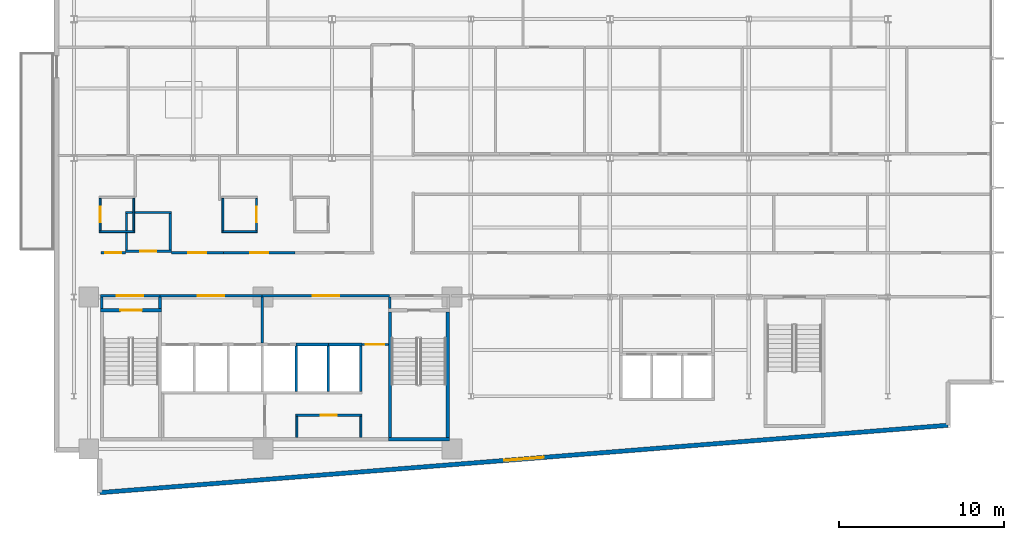
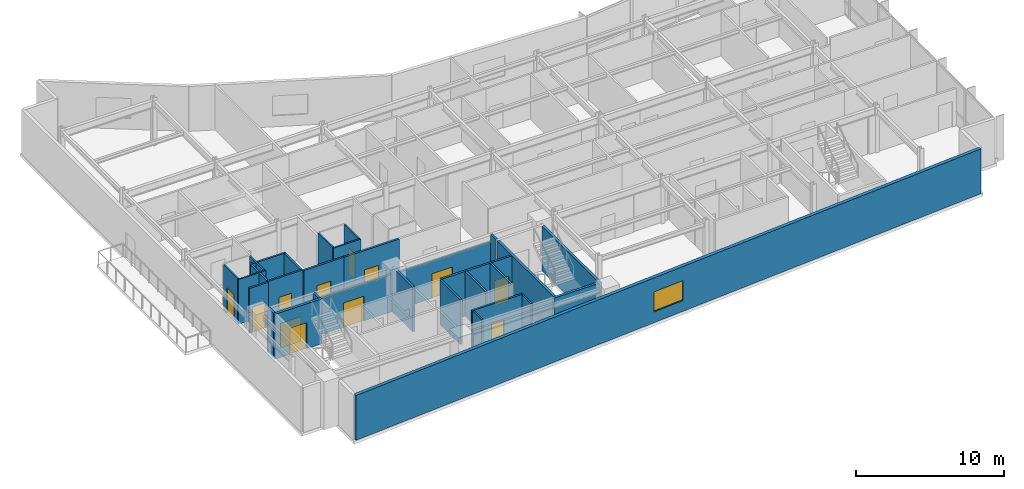
# One storey, part 10 of 17: 34 walls, 12 doors, 1 window, 13 openings.
"""IFC4 building model written with IfcOpenShell, lengths in metres."""

from ifc_helpers import new_model, si_unit, direction, frame, frame_2d, origin, place, context, subcontext, project, spatial, rectangle, extrude, material, layer, layer_set, type_object, element, fill, save


model = new_model("IFC4")

# Units and contexts
model_context = context("Model", 3, precision=1e-05, world=origin(), true_north=direction((0.0, 1.0)))
body_context = subcontext(model_context, "Body", "Model", "MODEL_VIEW")
ifc_project = project(units=[si_unit("LENGTHUNIT", "METRE"), si_unit("AREAUNIT", "SQUARE_METRE"), si_unit("VOLUMEUNIT", "CUBIC_METRE"), si_unit("PLANEANGLEUNIT", "RADIAN"), si_unit("MASSUNIT", "GRAM", prefix="KILO")], contexts=[model_context])

# Site, building, storey
site_placement = place(None, origin())
site = spatial("IfcSite", under=ifc_project, at=site_placement, CompositionType="ELEMENT")
building_placement = place(site_placement, origin())
building = spatial("IfcBuilding", under=site, at=building_placement, Name="Varnakote Quay Hospital", CompositionType="ELEMENT")
storey_placement = place(building_placement, frame((0.0, 0.0, 127.050048828125)))
storey = spatial("IfcBuildingStorey", under=building, at=storey_placement, Name="L31", CompositionType="ELEMENT", Elevation=127.050048828125)

# Wall
ifc_material_1 = material(Name="Fire-rated acoustic gypsum stud wall", Category="gypsum")
ifc_layer_1 = layer(ifc_material_1, 0.159912109375)
ifc_layer_set_1 = layer_set([ifc_layer_1], Name="Fire-rated acoustic gypsum stud wall")
wall_type_1 = type_object("IfcWallType", Name="WL-COMP-160", PredefinedType="PARTITIONING", material=ifc_layer_set_1)
wall_1_placement = place(storey_placement, frame((2.8798828125, 11.300048828125, 0.0), z_axis=(0.0, 0.0, 1.0), x_axis=(0.0, 1.0, 0.0)))
element("IfcWall", 1, at=wall_1_placement, inside=storey, type_object=wall_type_1, Name="L31 West Stair Vestibule West Wall", PredefinedType="PARTITIONING", context=body_context, shape_type="SweptSolid", body=[
    extrude(rectangle(XDim=0.699951171875, YDim=0.159912109375, at=frame_2d((0.35009765625, 0.0))), origin(), (0.0, 0.0, 1.0), 3.7099609375),
])

# Wall, opening, door
wall_2_placement = place(storey_placement, frame((2.800048828125, 12.080078125, 0.0), z_axis=(0.0, 0.0, 1.0), x_axis=(1.0, 0.0, 0.0)))
wall_2 = element("IfcWall", 2, at=wall_2_placement, inside=storey, type_object=wall_type_1, Name="L31 West Stair Vestibule Smoke Wall", PredefinedType="PARTITIONING", context=body_context, shape_type="SweptSolid", body=[
    extrude(rectangle(XDim=3.599853515625, YDim=0.159912109375, at=frame_2d((1.7998046875, 0.0))), origin(), (0.0, 0.0, 1.0), 3.0830078125),
])
opening_1_placement = place(wall_2_placement, frame((1.0, 0.0, 0.0)))
opening_1 = element("IfcOpeningElement", 3, at=opening_1_placement, cuts=wall_2, Name="Opening D-ST1L-L31", PredefinedType="OPENING", context=body_context, shape_type="SweptSolid", body=[
    extrude(rectangle(XDim=1.60009765625, YDim=2.050048828125, at=frame_2d((0.800048828125, 1.02490234375))), frame((0.0, 0.08984375, 0.0), z_axis=(0.0, -1.0, 0.0), x_axis=(1.0, 0.0, 0.0)), (0.0, 0.0, 1.0), 0.179931640625),
])
ifc_material_2 = material(Name="Fire-rated double smoke lobby door")
door_type_1 = type_object("IfcDoorType", Name="DR-LOBBY-FD60S-1600x2150", OperationType="NOTDEFINED", PredefinedType="DOOR", material=ifc_material_2)
door_1_placement = place(opening_1_placement, origin())
door_1 = element("IfcDoor", 4, at=door_1_placement, inside=storey, type_object=door_type_1, Name="L31 West Stair Vestibule Smoke Door", OperationType="DOUBLE_DOOR_SINGLE_SWING", OverallHeight=2.050048828125, OverallWidth=1.60009765625, PredefinedType="DOOR", context=body_context, shape_type="SweptSolid", body=[
    extrude(rectangle(XDim=1.60009765625, YDim=2.050048828125, at=frame_2d((0.800048828125, 1.02490234375))), frame((0.0, 0.02490234375, 0.0), z_axis=(0.0, -1.0, 0.0), x_axis=(1.0, 0.0, 0.0)), (0.0, 0.0, 1.0), 0.050048828125),
])
fill(opening_1, door_1)

# Wall
wall_3_placement = place(storey_placement, frame((6.39990234375, 11.300048828125, 0.0), z_axis=(0.0, 0.0, 1.0), x_axis=(0.0, 1.0, 0.0)))
element("IfcWall", 5, at=wall_3_placement, inside=storey, type_object=wall_type_1, Name="L31 Firefighting Lobby West Wall", PredefinedType="PARTITIONING", context=body_context, shape_type="SweptSolid", body=[
    extrude(rectangle(XDim=0.699951171875, YDim=0.159912109375, at=frame_2d((0.35009765625, 0.0))), origin(), (0.0, 0.0, 1.0), 3.7099609375),
])

# Wall, opening, door
wall_4_placement = place(storey_placement, frame((6.39990234375, 12.080078125, 0.0), z_axis=(0.0, 0.0, 1.0), x_axis=(1.0, 0.0, 0.0)))
wall_4 = element("IfcWall", 6, at=wall_4_placement, inside=storey, type_object=wall_type_1, Name="L31 Firefighting Lift Lobby Compartment Wall", PredefinedType="PARTITIONING", context=body_context, shape_type="SweptSolid", body=[
    extrude(rectangle(XDim=6.18017578125, YDim=0.159912109375, at=frame_2d((3.090087890625, 0.0))), origin(), (0.0, 0.0, 1.0), 3.0830078125),
])
opening_2_placement = place(wall_4_placement, frame((2.2900390625, 0.0, 0.0)))
opening_2 = element("IfcOpeningElement", 7, at=opening_2_placement, cuts=wall_4, Name="Opening D-FFL-L31", PredefinedType="OPENING", context=body_context, shape_type="SweptSolid", body=[
    extrude(rectangle(XDim=1.60009765625, YDim=2.050048828125, at=frame_2d((0.800048828125, 1.02490234375))), frame((0.0, 0.08984375, 0.0), z_axis=(0.0, -1.0, 0.0), x_axis=(1.0, 0.0, 0.0)), (0.0, 0.0, 1.0), 0.179931640625),
])
door_2_placement = place(opening_2_placement, origin())
door_2 = element("IfcDoor", 8, at=door_2_placement, inside=storey, type_object=door_type_1, Name="L31 Firefighting Smoke Vestibule Door", OperationType="DOUBLE_DOOR_SINGLE_SWING", OverallHeight=2.050048828125, OverallWidth=1.60009765625, PredefinedType="DOOR", context=body_context, shape_type="SweptSolid", body=[
    extrude(rectangle(XDim=1.60009765625, YDim=2.050048828125, at=frame_2d((0.800048828125, 1.02490234375))), frame((0.0, 0.02490234375, 0.0), z_axis=(0.0, -1.0, 0.0), x_axis=(1.0, 0.0, 0.0)), (0.0, 0.0, 1.0), 0.050048828125),
])
fill(opening_2, door_2)

# Wall
wall_5_placement = place(storey_placement, frame((12.580078125, 9.2099609375, 0.0), z_axis=(0.0, 0.0, 1.0), x_axis=(0.0, 1.0, 0.0)))
element("IfcWall", 9, at=wall_5_placement, inside=storey, type_object=wall_type_1, Name="L31 Firefighting to Service Lobby Wall", PredefinedType="PARTITIONING", context=body_context, shape_type="SweptSolid", body=[
    extrude(rectangle(XDim=2.7900390625, YDim=0.159912109375, at=frame_2d((1.39501953125, 0.0))), origin(), (0.0, 0.0, 1.0), 3.7099609375),
])

# Wall, opening, door
wall_6_placement = place(storey_placement, frame((12.580078125, 12.080078125, 0.0), z_axis=(0.0, 0.0, 1.0), x_axis=(1.0, 0.0, 0.0)))
wall_6 = element("IfcWall", 10, at=wall_6_placement, inside=storey, type_object=wall_type_1, Name="L31 Clinical Bed Lift Lobby Wall", PredefinedType="PARTITIONING", context=body_context, shape_type="SweptSolid", body=[
    extrude(rectangle(XDim=7.699951171875, YDim=0.159912109375, at=frame_2d((3.85009765625, 0.0))), origin(), (0.0, 0.0, 1.0), 3.0830078125),
])
opening_3_placement = place(wall_6_placement, frame((3.050048828125, 0.0, 0.0)))
opening_3 = element("IfcOpeningElement", 11, at=opening_3_placement, cuts=wall_6, Name="Opening D-SVL-L31", PredefinedType="OPENING", context=body_context, shape_type="SweptSolid", body=[
    extrude(rectangle(XDim=1.60009765625, YDim=2.050048828125, at=frame_2d((0.800048828125, 1.02490234375))), frame((0.0, 0.08984375, 0.0), z_axis=(0.0, -1.0, 0.0), x_axis=(1.0, 0.0, 0.0)), (0.0, 0.0, 1.0), 0.179931640625),
])
door_3_placement = place(opening_3_placement, origin())
door_3 = element("IfcDoor", 12, at=door_3_placement, inside=storey, type_object=door_type_1, Name="L31 Clinical Core Smoke Vestibule Door", OperationType="DOUBLE_DOOR_SINGLE_SWING", OverallHeight=2.050048828125, OverallWidth=1.60009765625, PredefinedType="DOOR", context=body_context, shape_type="SweptSolid", body=[
    extrude(rectangle(XDim=1.60009765625, YDim=2.050048828125, at=frame_2d((0.800048828125, 1.02490234375))), frame((0.0, 0.02490234375, 0.0), z_axis=(0.0, -1.0, 0.0), x_axis=(1.0, 0.0, 0.0)), (0.0, 0.0, 1.0), 0.050048828125),
])
fill(opening_3, door_3)

# Walls
wall_7_placement = place(storey_placement, frame((20.280029296875, 11.300048828125, 0.0), z_axis=(0.0, 0.0, 1.0), x_axis=(0.0, 1.0, 0.0)))
element("IfcWall", 13, at=wall_7_placement, inside=storey, type_object=wall_type_1, Name="L31 East Stair Vestibule Divider Wall", PredefinedType="PARTITIONING", context=body_context, shape_type="SweptSolid", body=[
    extrude(rectangle(XDim=0.699951171875, YDim=0.159912109375, at=frame_2d((0.35009765625, 0.0))), origin(), (0.0, 0.0, 1.0), 3.7099609375),
])
ifc_material_3 = material(Name="Moisture-resistant bathroom partition", Category="gypsum")
ifc_layer_2 = layer(ifc_material_3, 0.114990234375)
ifc_layer_set_2 = layer_set([ifc_layer_2], Name="Moisture-resistant bathroom partition")
wall_type_2 = type_object("IfcWallType", Name="WL-ENS-115", PredefinedType="PARTITIONING", material=ifc_layer_set_2)
wall_8_placement = place(storey_placement, frame((2.72509765625, 15.952392578125, 0.0), z_axis=(0.0, 0.0, 1.0), x_axis=(1.0, 0.0, 0.0)))
element("IfcWall", 14, at=wall_8_placement, inside=storey, type_object=wall_type_2, Name="L31 Inpatient En-Suite Bathroom 01 S Wall", PredefinedType="PARTITIONING", context=body_context, shape_type="SweptSolid", body=[
    extrude(rectangle(XDim=2.14990234375, YDim=0.114990234375, at=frame_2d((1.074951171875, 0.0))), origin(), (0.0, 0.0, 1.0), 3.7099609375),
])

# Wall, opening, door
wall_9_placement = place(storey_placement, frame((2.782470703125, 16.010009765625, 0.0), z_axis=(0.0, 0.0, 1.0), x_axis=(0.0, 1.0, 0.0)))
wall_9 = element("IfcWall", 15, at=wall_9_placement, inside=storey, type_object=wall_type_2, Name="L31 Inpatient En-Suite Bathroom 01 W Wall", PredefinedType="PARTITIONING", context=body_context, shape_type="SweptSolid", body=[
    extrude(rectangle(XDim=1.949951171875, YDim=0.114990234375, at=frame_2d((0.97509765625, 0.0))), origin(), (0.0, 0.0, 1.0), 3.7099609375),
])
opening_4_placement = place(wall_9_placement, frame((0.514892578125, 0.0, 0.0)))
opening_4 = element("IfcOpeningElement", 16, at=opening_4_placement, cuts=wall_9, Name="Opening D-L31-ENS01", PredefinedType="OPENING", context=body_context, shape_type="SweptSolid", body=[
    extrude(rectangle(XDim=0.919921875, YDim=2.10009765625, at=frame_2d((0.4599609375, 1.050048828125))), frame((0.0, 0.0673828125, 0.0), z_axis=(0.0, -1.0, 0.0), x_axis=(1.0, 0.0, 0.0)), (0.0, 0.0, 1.0), 0.135009765625),
])
ifc_material_4 = material(Name="Moisture-sealed en-suite bathroom door")
door_type_2 = type_object("IfcDoorType", Name="DR-ENS-920x2100", OperationType="NOTDEFINED", PredefinedType="DOOR", material=ifc_material_4)
door_4_placement = place(opening_4_placement, origin())
door_4 = element("IfcDoor", 17, at=door_4_placement, inside=storey, type_object=door_type_2, Name="L31 Inpatient En-Suite Bathroom 01 Door", OperationType="SINGLE_SWING_RIGHT", OverallHeight=2.10009765625, OverallWidth=0.919921875, PredefinedType="DOOR", context=body_context, shape_type="SweptSolid", body=[
    extrude(rectangle(XDim=0.919921875, YDim=2.10009765625, at=frame_2d((0.4599609375, 1.050048828125))), frame((0.0, 0.02490234375, 0.0), z_axis=(0.0, -1.0, 0.0), x_axis=(1.0, 0.0, 0.0)), (0.0, 0.0, 1.0), 0.050048828125),
])
fill(opening_4, door_4)

# Walls
wall_10_placement = place(storey_placement, frame((4.8173828125, 16.010009765625, 0.0), z_axis=(0.0, 0.0, 1.0), x_axis=(0.0, 1.0, 0.0)))
element("IfcWall", 18, at=wall_10_placement, inside=storey, type_object=wall_type_2, Name="L31 Inpatient En-Suite Bathroom 01 E Wall", PredefinedType="PARTITIONING", context=body_context, shape_type="SweptSolid", body=[
    extrude(rectangle(XDim=1.949951171875, YDim=0.114990234375, at=frame_2d((0.97509765625, 0.0))), origin(), (0.0, 0.0, 1.0), 3.7099609375),
])
wall_11_placement = place(storey_placement, frame((10.14501953125, 15.952392578125, 0.0), z_axis=(0.0, 0.0, 1.0), x_axis=(1.0, 0.0, 0.0)))
element("IfcWall", 19, at=wall_11_placement, inside=storey, type_object=wall_type_2, Name="L31 Inpatient En-Suite Bathroom 02 S Wall", PredefinedType="PARTITIONING", context=body_context, shape_type="SweptSolid", body=[
    extrude(rectangle(XDim=2.14990234375, YDim=0.114990234375, at=frame_2d((1.074951171875, 0.0))), origin(), (0.0, 0.0, 1.0), 3.7099609375),
])
wall_12_placement = place(storey_placement, frame((10.202392578125, 16.010009765625, 0.0), z_axis=(0.0, 0.0, 1.0), x_axis=(0.0, 1.0, 0.0)))
element("IfcWall", 20, at=wall_12_placement, inside=storey, type_object=wall_type_2, Name="L31 Inpatient En-Suite Bathroom 02 W Wall", PredefinedType="PARTITIONING", context=body_context, shape_type="SweptSolid", body=[
    extrude(rectangle(XDim=1.949951171875, YDim=0.114990234375, at=frame_2d((0.97509765625, 0.0))), origin(), (0.0, 0.0, 1.0), 3.7099609375),
])

# Wall, opening, door
wall_13_placement = place(storey_placement, frame((12.237548828125, 16.010009765625, 0.0), z_axis=(0.0, 0.0, 1.0), x_axis=(0.0, 1.0, 0.0)))
wall_13 = element("IfcWall", 21, at=wall_13_placement, inside=storey, type_object=wall_type_2, Name="L31 Inpatient En-Suite Bathroom 02 E Wall", PredefinedType="PARTITIONING", context=body_context, shape_type="SweptSolid", body=[
    extrude(rectangle(XDim=1.949951171875, YDim=0.114990234375, at=frame_2d((0.97509765625, 0.0))), origin(), (0.0, 0.0, 1.0), 3.7099609375),
])
opening_5_placement = place(wall_13_placement, frame((0.514892578125, 0.0, 0.0)))
opening_5 = element("IfcOpeningElement", 22, at=opening_5_placement, cuts=wall_13, Name="Opening D-L31-ENS02", PredefinedType="OPENING", context=body_context, shape_type="SweptSolid", body=[
    extrude(rectangle(XDim=0.919921875, YDim=2.10009765625, at=frame_2d((0.4599609375, 1.050048828125))), frame((0.0, 0.0673828125, 0.0), z_axis=(0.0, -1.0, 0.0), x_axis=(1.0, 0.0, 0.0)), (0.0, 0.0, 1.0), 0.135009765625),
])
door_5_placement = place(opening_5_placement, origin())
door_5 = element("IfcDoor", 23, at=door_5_placement, inside=storey, type_object=door_type_2, Name="L31 Inpatient En-Suite Bathroom 02 Door", OperationType="SINGLE_SWING_LEFT", OverallHeight=2.10009765625, OverallWidth=0.919921875, PredefinedType="DOOR", context=body_context, shape_type="SweptSolid", body=[
    extrude(rectangle(XDim=0.919921875, YDim=2.10009765625, at=frame_2d((0.4599609375, 1.050048828125))), frame((0.0, 0.02490234375, 0.0), z_axis=(0.0, -1.0, 0.0), x_axis=(1.0, 0.0, 0.0)), (0.0, 0.0, 1.0), 0.050048828125),
])
fill(opening_5, door_5)

# Wall, opening, window
ifc_material_5 = material(Name="Precast concrete N50 (f'c 50 MPa)", Category="concrete")
ifc_layer_3 = layer(ifc_material_5, 0.260009765625)
ifc_layer_set_3 = layer_set([ifc_layer_3], Name="Precast concrete N50 (f'c 50 MPa)")
wall_type_3 = type_object("IfcWallType", Name="WL-EXT-BRICK-260", PredefinedType="STANDARD", material=ifc_layer_set_3)
wall_14_placement = place(storey_placement, frame((2.760009765625, 0.173095703125, 0.0), z_axis=(0.0, 0.0, 1.0), x_axis=(0.996857931723, 0.079210251617, 0.0)))
wall_14 = element("IfcWall", 24, at=wall_14_placement, inside=storey, type_object=wall_type_3, Name="L31 Brick-Faced Precast Exterior Wall", PredefinedType="STANDARD", context=body_context, shape_type="SweptSolid", body=[
    extrude(rectangle(XDim=51.441650390625, YDim=0.260009765625, at=frame_2d((25.720703125, 0.0))), origin(), (0.0, 0.0, 1.0), 3.7099609375),
])
opening_6_placement = place(wall_14_placement, frame((24.520751953125, 0.0, 0.89990234375)))
opening_6 = element("IfcOpeningElement", 25, at=opening_6_placement, cuts=wall_14, Name="Opening WN-0134", PredefinedType="OPENING", context=body_context, shape_type="SweptSolid", body=[
    extrude(rectangle(XDim=2.39990234375, YDim=1.64990234375, at=frame_2d((1.199951171875, 0.824951171875))), frame((0.0, 0.139892578125, 0.0), z_axis=(0.0, -1.0, 0.0), x_axis=(1.0, 0.0, 0.0)), (0.0, 0.0, 1.0), 0.280029296875),
])
ifc_material_6 = material(Name="Double-glazed low-E solar glass", Category="glass")
window_type = type_object("IfcWindowType", Name="WIN-CLIN-2400x1650", PartitioningType="SINGLE_PANEL", PredefinedType="WINDOW", material=ifc_material_6)
window_placement = place(opening_6_placement, origin())
window = element("IfcWindow", 26, at=window_placement, inside=storey, type_object=window_type, Name="L31 Solar-Control Clinical Window", OverallHeight=1.64990234375, OverallWidth=2.39990234375, PartitioningType="SINGLE_PANEL", PredefinedType="WINDOW", context=body_context, shape_type="SweptSolid", body=[
    extrude(rectangle(XDim=2.39990234375, YDim=1.64990234375, at=frame_2d((1.199951171875, 0.824951171875))), frame((0.0, 0.030029296875, 0.0), z_axis=(0.0, -1.0, 0.0), x_axis=(1.0, 0.0, 0.0)), (0.0, 0.0, 1.0), 0.06005859375),
])
fill(opening_6, window)

# Walls
ifc_material_7 = material(Name="Concrete N50 (f'c 50 MPa)", Category="concrete")
ifc_layer_4 = layer(ifc_material_7, 0.14990234375)
ifc_layer_set_4 = layer_set([ifc_layer_4], Name="Concrete N50 (f'c 50 MPa)")
wall_type_4 = type_object("IfcWallType", Name="WL-SHAFT-N50-150", PredefinedType="SHEAR", material=ifc_layer_set_4)
for number, where, z_axis, x_axis, name in (
    (27, (14.625, 6.300048828125, 0.0), (0.0, 0.0, 1.0), (0.0, 1.0, 0.0), "L31 LF-SV2 Hoistway Divider Wall"),
    (28, (16.574951171875, 6.300048828125, 0.0), (0.0, 0.0, 1.0), (0.0, 1.0, 0.0), "L31 LF-PH1 Hoistway Divider Wall"),
):
    element("IfcWall", number, at=place(storey_placement, frame(where, z_axis=z_axis, x_axis=x_axis)), inside=storey, type_object=wall_type_4, Name=name, PredefinedType="SHEAR", context=body_context, shape_type="SweptSolid", body=[
        extrude(rectangle(XDim=2.75, YDim=0.14990234375, at=frame_2d((1.375, 0.0))), origin(), (0.0, 0.0, 1.0), 3.7099609375),
    ])
ifc_material_8 = material(Name="Concrete N50 (f'c 50 MPa)", Category="concrete")
ifc_layer_5 = layer(ifc_material_8, 0.159912109375)
ifc_layer_set_5 = layer_set([ifc_layer_5], Name="Concrete N50 (f'c 50 MPa)")
wall_type_5 = type_object("IfcWallType", Name="WL-SHAFT-N50-160", PredefinedType="SHEAR", material=ifc_layer_set_5)
wall_15_placement = place(storey_placement, frame((18.530029296875, 6.300048828125, 0.0), z_axis=(0.0, 0.0, 1.0), x_axis=(0.0, 1.0, 0.0)))
element("IfcWall", 29, at=wall_15_placement, inside=storey, type_object=wall_type_5, Name="L31 REAR Lift Bank East Shear Wall", PredefinedType="SHEAR", context=body_context, shape_type="SweptSolid", body=[
    extrude(rectangle(XDim=2.75, YDim=0.159912109375, at=frame_2d((1.375, 0.0))), origin(), (0.0, 0.0, 1.0), 3.7099609375),
])
wall_16_placement = place(storey_placement, frame((14.625, 9.1298828125, 0.0), z_axis=(0.0, 0.0, 1.0), x_axis=(1.0, 0.0, 0.0)))
element("IfcWall", 30, at=wall_16_placement, inside=storey, type_object=wall_type_5, Name="L31 LF-PH1 Hoistway Front Wall", PredefinedType="SHEAR", context=body_context, shape_type="SweptSolid", body=[
    extrude(rectangle(XDim=1.949951171875, YDim=0.159912109375, at=frame_2d((0.97509765625, 0.0))), origin(), (0.0, 0.0, 1.0), 3.7099609375),
])
wall_17_placement = place(storey_placement, frame((16.574951171875, 9.1298828125, 0.0), z_axis=(0.0, 0.0, 1.0), x_axis=(1.0, 0.0, 0.0)))
element("IfcWall", 31, at=wall_17_placement, inside=storey, type_object=wall_type_5, Name="L31 LF-PH2 Hoistway Front Wall", PredefinedType="SHEAR", context=body_context, shape_type="SweptSolid", body=[
    extrude(rectangle(XDim=2.03515625, YDim=0.159912109375, at=frame_2d((1.017578125, 0.0))), origin(), (0.0, 0.0, 1.0), 3.7099609375),
])

# Wall, opening, door
ifc_material_9 = material(Name="Concrete N50 (f'c 50 MPa)", Category="concrete")
ifc_layer_6 = layer(ifc_material_9, 0.199951171875)
ifc_layer_set_6 = layer_set([ifc_layer_6], Name="Concrete N50 (f'c 50 MPa)")
wall_type_6 = type_object("IfcWallType", Name="WL-SHAFT-N50-200", PredefinedType="SHEAR", material=ifc_layer_set_6)
wall_18_placement = place(storey_placement, frame((2.800048828125, 11.199951171875, 0.0), z_axis=(0.0, 0.0, 1.0), x_axis=(1.0, 0.0, 0.0)))
wall_18 = element("IfcWall", 32, at=wall_18_placement, inside=storey, type_object=wall_type_6, Name="L31 Stair ST1 Exit Wall", PredefinedType="SHEAR", context=body_context, shape_type="SweptSolid", body=[
    extrude(rectangle(XDim=3.699951171875, YDim=0.199951171875, at=frame_2d((1.85009765625, 0.0))), origin(), (0.0, 0.0, 1.0), 3.7099609375),
])
opening_7_placement = place(wall_18_placement, frame((1.199951171875, 0.0, 0.0)))
opening_7 = element("IfcOpeningElement", 33, at=opening_7_placement, cuts=wall_18, Name="Opening D-ST1-L31", PredefinedType="OPENING", context=body_context, shape_type="SweptSolid", body=[
    extrude(rectangle(XDim=1.300048828125, YDim=2.14990234375, at=frame_2d((0.64990234375, 1.074951171875))), frame((0.0, 0.10986328125, 0.0), z_axis=(0.0, -1.0, 0.0), x_axis=(1.0, 0.0, 0.0)), (0.0, 0.0, 1.0), 0.219970703125),
])
ifc_material_10 = material(Name="Fire-rated ceramic-glazed timber exit door", Category="wood")
door_type_3 = type_object("IfcDoorType", Name="DR-STAIR-FD60S-1300x2150", OperationType="NOTDEFINED", PredefinedType="DOOR", material=ifc_material_10)
door_6_placement = place(opening_7_placement, origin())
door_6 = element("IfcDoor", 34, at=door_6_placement, inside=storey, type_object=door_type_3, Name="L31 Stair ST1 Fire Exit Door", OperationType="SINGLE_SWING_LEFT", OverallHeight=2.14990234375, OverallWidth=1.300048828125, PredefinedType="DOOR", context=body_context, shape_type="SweptSolid", body=[
    extrude(rectangle(XDim=1.300048828125, YDim=2.14990234375, at=frame_2d((0.64990234375, 1.074951171875))), frame((0.0, 0.02490234375, 0.0), z_axis=(0.0, -1.0, 0.0), x_axis=(1.0, 0.0, 0.0)), (0.0, 0.0, 1.0), 0.050048828125),
])
fill(opening_7, door_6)

# Walls
wall_19_placement = place(storey_placement, frame((20.199951171875, 3.39990234375, 0.0), z_axis=(0.0, 0.0, 1.0), x_axis=(1.0, 0.0, 0.0)))
element("IfcWall", 35, at=wall_19_placement, inside=storey, type_object=wall_type_6, Name="L31 Stair ST2 South Shaft Wall", PredefinedType="SHEAR", context=body_context, shape_type="SweptSolid", body=[
    extrude(rectangle(XDim=3.699951171875, YDim=0.199951171875, at=frame_2d((1.85009765625, 0.0))), origin(), (0.0, 0.0, 1.0), 3.7099609375),
])
for number, where, z_axis, x_axis, name in (
    (36, (20.300048828125, 3.5, 0.0), (0.0, 0.0, 1.0), (0.0, 1.0, 0.0), "L31 Stair ST2 West Shaft Wall"),
    (37, (23.800048828125, 3.5, 0.0), (0.0, 0.0, 1.0), (0.0, 1.0, 0.0), "L31 Stair ST2 East Shaft Wall"),
):
    element("IfcWall", number, at=place(storey_placement, frame(where, z_axis=z_axis, x_axis=x_axis)), inside=storey, type_object=wall_type_6, Name=name, PredefinedType="SHEAR", context=body_context, shape_type="SweptSolid", body=[
        extrude(rectangle(XDim=7.60009765625, YDim=0.199951171875, at=frame_2d((3.800048828125, 0.0))), origin(), (0.0, 0.0, 1.0), 3.7099609375),
    ])
ifc_material_11 = material(Name="Smoke-proof clinical partition", Category="gypsum")
ifc_layer_7 = layer(ifc_material_11, 0.1201171875)
ifc_layer_set_7 = layer_set([ifc_layer_7], Name="Smoke-proof clinical partition")
wall_type_7 = type_object("IfcWallType", Name="WL-SMOKE-120", PredefinedType="PARTITIONING", material=ifc_layer_set_7)
for number, where, z_axis, x_axis, name in (
    (38, (14.669921875, 3.52001953125, 0.0), (0.0, 0.0, 1.0), (0.0, 1.0, 0.0), "L31 Core WC West Wall"),
    (39, (18.5400390625, 3.52001953125, 0.0), (0.0, 0.0, 1.0), (0.0, 1.0, 0.0), "L31 Core WC East Wall"),
):
    element("IfcWall", number, at=place(storey_placement, frame(where, z_axis=z_axis, x_axis=x_axis)), inside=storey, type_object=wall_type_7, Name=name, PredefinedType="PARTITIONING", context=body_context, shape_type="SweptSolid", body=[
        extrude(rectangle(XDim=1.260009765625, YDim=0.1201171875, at=frame_2d((0.6298828125, 0.0))), origin(), (0.0, 0.0, 1.0), 3.7099609375),
    ])

# Wall, opening, door
ifc_material_12 = material(Name="Fire-rated clinical gypsum partition", Category="gypsum")
ifc_layer_8 = layer(ifc_material_12, 0.139892578125)
ifc_layer_set_8 = layer_set([ifc_layer_8], Name="Fire-rated clinical gypsum partition")
wall_type_8 = type_object("IfcWallType", Name="WL-WARD-140", PredefinedType="PARTITIONING", material=ifc_layer_set_8)
wall_20_placement = place(storey_placement, frame((14.60009765625, 4.85009765625, 0.0), z_axis=(0.0, 0.0, 1.0), x_axis=(1.0, 0.0, 0.0)))
wall_20 = element("IfcWall", 40, at=wall_20_placement, inside=storey, type_object=wall_type_8, Name="L31 Core Staff Sanitary WC North Wall", PredefinedType="PARTITIONING", context=body_context, shape_type="SweptSolid", body=[
    extrude(rectangle(XDim=4.0, YDim=0.139892578125, at=frame_2d((2.0, 0.0))), origin(), (0.0, 0.0, 1.0), 3.7099609375),
])
opening_8_placement = place(wall_20_placement, frame((1.510009765625, 0.0, 0.0)))
opening_8 = element("IfcOpeningElement", 41, at=opening_8_placement, cuts=wall_20, Name="Opening D-L31-CR02", PredefinedType="OPENING", context=body_context, shape_type="SweptSolid", body=[
    extrude(rectangle(XDim=0.97998046875, YDim=2.10009765625, at=frame_2d((0.489990234375, 1.050048828125))), frame((0.0, 0.079833984375, 0.0), z_axis=(0.0, -1.0, 0.0), x_axis=(1.0, 0.0, 0.0)), (0.0, 0.0, 1.0), 0.159912109375),
])
ifc_material_13 = material(Name="Accessible sanitary compartment door")
door_type_4 = type_object("IfcDoorType", Name="DR-WC-980x2100", OperationType="NOTDEFINED", PredefinedType="DOOR", material=ifc_material_13)
door_7_placement = place(opening_8_placement, origin())
door_7 = element("IfcDoor", 42, at=door_7_placement, inside=storey, type_object=door_type_4, Name="L31 Core Staff Sanitary WC Door", OperationType="SINGLE_SWING_LEFT", OverallHeight=2.10009765625, OverallWidth=0.97998046875, PredefinedType="DOOR", context=body_context, shape_type="SweptSolid", body=[
    extrude(rectangle(XDim=0.97998046875, YDim=2.10009765625, at=frame_2d((0.489990234375, 1.050048828125))), frame((0.0, 0.02490234375, 0.0), z_axis=(0.0, -1.0, 0.0), x_axis=(1.0, 0.0, 0.0)), (0.0, 0.0, 1.0), 0.050048828125),
])
fill(opening_8, door_7)

wall_21_placement = place(storey_placement, frame((18.610107421875, 9.1298828125, 0.0), z_axis=(0.0, 0.0, 1.0), x_axis=(1.0, 0.0, 0.0)))
wall_21 = element("IfcWall", 43, at=wall_21_placement, inside=storey, type_object=wall_type_8, Name="L31 Core Service Corridor North Door Wall", PredefinedType="PARTITIONING", context=body_context, shape_type="SweptSolid", body=[
    extrude(rectangle(XDim=1.58984375, YDim=0.139892578125, at=frame_2d((0.794921875, 0.0))), origin(), (0.0, 0.0, 1.0), 3.7099609375),
])
opening_9_placement = place(wall_21_placement, frame((0.239990234375, 0.0, 0.0)))
opening_9 = element("IfcOpeningElement", 44, at=opening_9_placement, cuts=wall_21, Name="Opening D-CSRV-L31", PredefinedType="OPENING", context=body_context, shape_type="SweptSolid", body=[
    extrude(rectangle(XDim=1.10009765625, YDim=2.10009765625, at=frame_2d((0.550048828125, 1.050048828125))), frame((0.0, 0.079833984375, 0.0), z_axis=(0.0, -1.0, 0.0), x_axis=(1.0, 0.0, 0.0)), (0.0, 0.0, 1.0), 0.159912109375),
])
ifc_material_14 = material(Name="Acoustic timber clinical consult door", Category="wood")
door_type_5 = type_object("IfcDoorType", Name="DR-CLIN-FD30S-1100x2100", OperationType="NOTDEFINED", PredefinedType="DOOR", material=ifc_material_14)
door_8_placement = place(opening_9_placement, origin())
door_8 = element("IfcDoor", 45, at=door_8_placement, inside=storey, type_object=door_type_5, Name="L31 Core Service Corridor Door", OperationType="SINGLE_SWING_RIGHT", OverallHeight=2.10009765625, OverallWidth=1.10009765625, PredefinedType="DOOR", context=body_context, shape_type="SweptSolid", body=[
    extrude(rectangle(XDim=1.10009765625, YDim=2.10009765625, at=frame_2d((0.550048828125, 1.050048828125))), frame((0.0, 0.02490234375, 0.0), z_axis=(0.0, -1.0, 0.0), x_axis=(1.0, 0.0, 0.0)), (0.0, 0.0, 1.0), 0.050048828125),
])
fill(opening_9, door_8)

wall_22_placement = place(storey_placement, frame((4.31005859375, 14.77001953125, 0.0), z_axis=(0.0, 0.0, 1.0), x_axis=(1.0, 0.0, 0.0)))
wall_22 = element("IfcWall", 46, at=wall_22_placement, inside=storey, type_object=wall_type_8, Name="L31 Floor Unisex Accessible WC S Wall", PredefinedType="PARTITIONING", context=body_context, shape_type="SweptSolid", body=[
    extrude(rectangle(XDim=2.780029296875, YDim=0.139892578125, at=frame_2d((1.39013671875, 0.0))), origin(), (0.0, 0.0, 1.0), 3.7099609375),
])
opening_10_placement = place(wall_22_placement, frame((0.89990234375, 0.0, 0.0)))
opening_10 = element("IfcOpeningElement", 47, at=opening_10_placement, cuts=wall_22, Name="Opening D-L31-EW01", PredefinedType="OPENING", context=body_context, shape_type="SweptSolid", body=[
    extrude(rectangle(XDim=0.97998046875, YDim=2.10009765625, at=frame_2d((0.489990234375, 1.050048828125))), frame((0.0, 0.079833984375, 0.0), z_axis=(0.0, -1.0, 0.0), x_axis=(1.0, 0.0, 0.0)), (0.0, 0.0, 1.0), 0.159912109375),
])
door_9_placement = place(opening_10_placement, origin())
door_9 = element("IfcDoor", 48, at=door_9_placement, inside=storey, type_object=door_type_4, Name="L31 Floor Unisex Accessible WC Door", OperationType="SINGLE_SWING_LEFT", OverallHeight=2.10009765625, OverallWidth=0.97998046875, PredefinedType="DOOR", context=body_context, shape_type="SweptSolid", body=[
    extrude(rectangle(XDim=0.97998046875, YDim=2.10009765625, at=frame_2d((0.489990234375, 1.050048828125))), frame((0.0, 0.02490234375, 0.0), z_axis=(0.0, -1.0, 0.0), x_axis=(1.0, 0.0, 0.0)), (0.0, 0.0, 1.0), 0.050048828125),
])
fill(opening_10, door_9)

# Walls
wall_23_placement = place(storey_placement, frame((4.31005859375, 17.110107421875, 0.0), z_axis=(0.0, 0.0, 1.0), x_axis=(1.0, 0.0, 0.0)))
element("IfcWall", 49, at=wall_23_placement, inside=storey, type_object=wall_type_8, Name="L31 Floor Unisex Accessible WC N Wall", PredefinedType="PARTITIONING", context=body_context, shape_type="SweptSolid", body=[
    extrude(rectangle(XDim=2.780029296875, YDim=0.139892578125, at=frame_2d((1.39013671875, 0.0))), origin(), (0.0, 0.0, 1.0), 3.7099609375),
])
for number, where, z_axis, x_axis, name in (
    (50, (4.3798828125, 14.840087890625, 0.0), (0.0, 0.0, 1.0), (0.0, 1.0, 0.0), "L31 Floor Unisex Accessible WC W Wall"),
    (51, (7.02001953125, 14.840087890625, 0.0), (0.0, 0.0, 1.0), (0.0, 1.0, 0.0), "L31 Floor Unisex Accessible WC E Wall"),
):
    element("IfcWall", number, at=place(storey_placement, frame(where, z_axis=z_axis, x_axis=x_axis)), inside=storey, type_object=wall_type_8, Name=name, PredefinedType="PARTITIONING", context=body_context, shape_type="SweptSolid", body=[
        extrude(rectangle(XDim=2.199951171875, YDim=0.139892578125, at=frame_2d((1.10009765625, 0.0))), origin(), (0.0, 0.0, 1.0), 3.7099609375),
    ])

# Wall, opening, door
ifc_material_15 = material(Name="Fire-rated clinical gypsum partition", Category="gypsum")
ifc_layer_9 = layer(ifc_material_15, 0.14990234375)
ifc_layer_set_9 = layer_set([ifc_layer_9], Name="Fire-rated clinical gypsum partition")
wall_type_9 = type_object("IfcWallType", Name="WL-WARD-150", PredefinedType="PARTITIONING", material=ifc_layer_set_9)
wall_24_placement = place(storey_placement, frame((4.30810546875, 14.679931640625, 0.0), z_axis=(0.0, 0.0, 1.0), x_axis=(-1.0, 0.0, 0.0)))
wall_24 = element("IfcWall", 52, at=wall_24_placement, inside=storey, type_object=wall_type_9, Name="L31 Clinical Interior Partition", PredefinedType="PARTITIONING", context=body_context, shape_type="SweptSolid", body=[
    extrude(rectangle(XDim=1.4580078125, YDim=0.14990234375, at=frame_2d((0.72900390625, 0.0))), origin(), (0.0, 0.0, 1.0), 3.7099609375),
])
opening_11_placement = place(wall_24_placement, frame((0.239013671875, 0.0, 0.0)))
opening_11 = element("IfcOpeningElement", 53, at=opening_11_placement, cuts=wall_24, Name="Opening D-L31-BR01", PredefinedType="OPENING", context=body_context, shape_type="SweptSolid", body=[
    extrude(rectangle(XDim=0.97998046875, YDim=2.10009765625, at=frame_2d((0.489990234375, 1.050048828125))), frame((0.0, 0.0849609375, 0.0), z_axis=(0.0, -1.0, 0.0), x_axis=(1.0, 0.0, 0.0)), (0.0, 0.0, 1.0), 0.169921875),
])
door_10_placement = place(opening_11_placement, origin())
door_10 = element("IfcDoor", 54, at=door_10_placement, inside=storey, type_object=door_type_4, Name="L31 Inpatient Clinical Treatment Room 01 Door", OperationType="SINGLE_SWING_LEFT", OverallHeight=2.10009765625, OverallWidth=0.97998046875, PredefinedType="DOOR", context=body_context, shape_type="SweptSolid", body=[
    extrude(rectangle(XDim=0.97998046875, YDim=2.10009765625, at=frame_2d((0.489990234375, 1.050048828125))), frame((0.0, 0.02490234375, 0.0), z_axis=(0.0, -1.0, 0.0), x_axis=(1.0, 0.0, 0.0)), (0.0, 0.0, 1.0), 0.050048828125),
])
fill(opening_11, door_10)

wall_25_placement = place(storey_placement, frame((10.22607421875, 14.679931640625, 0.0), z_axis=(0.0, 0.0, 1.0), x_axis=(-1.0, 0.0, 0.0)))
wall_25 = element("IfcWall", 55, at=wall_25_placement, inside=storey, type_object=wall_type_9, Name="L31 Clinical Interior Partition", PredefinedType="PARTITIONING", context=body_context, shape_type="SweptSolid", body=[
    extrude(rectangle(XDim=3.134033203125, YDim=0.14990234375, at=frame_2d((1.56689453125, 0.0))), origin(), (0.0, 0.0, 1.0), 3.7099609375),
])
opening_12_placement = place(wall_25_placement, frame((1.01708984375, 0.0, 0.0)))
opening_12 = element("IfcOpeningElement", 56, at=opening_12_placement, cuts=wall_25, Name="Opening D-L31-MD01", PredefinedType="OPENING", context=body_context, shape_type="SweptSolid", body=[
    extrude(rectangle(XDim=1.10009765625, YDim=2.10009765625, at=frame_2d((0.550048828125, 1.050048828125))), frame((0.0, 0.0849609375, 0.0), z_axis=(0.0, -1.0, 0.0), x_axis=(1.0, 0.0, 0.0)), (0.0, 0.0, 1.0), 0.169921875),
])
door_11_placement = place(opening_12_placement, origin())
door_11 = element("IfcDoor", 57, at=door_11_placement, inside=storey, type_object=door_type_5, Name="L31 Paediatric Clinical Teaching Room Door", OperationType="SINGLE_SWING_RIGHT", OverallHeight=2.10009765625, OverallWidth=1.10009765625, PredefinedType="DOOR", context=body_context, shape_type="SweptSolid", body=[
    extrude(rectangle(XDim=1.10009765625, YDim=2.10009765625, at=frame_2d((0.550048828125, 1.050048828125))), frame((0.0, 0.02490234375, 0.0), z_axis=(0.0, -1.0, 0.0), x_axis=(1.0, 0.0, 0.0)), (0.0, 0.0, 1.0), 0.050048828125),
])
fill(opening_12, door_11)

wall_26_placement = place(storey_placement, frame((14.56591796875, 14.679931640625, 0.0), z_axis=(0.0, 0.0, 1.0), x_axis=(-1.0, 0.0, 0.0)))
wall_26 = element("IfcWall", 58, at=wall_26_placement, inside=storey, type_object=wall_type_9, Name="L31 Clinical Interior Partition", PredefinedType="PARTITIONING", context=body_context, shape_type="SweptSolid", body=[
    extrude(rectangle(XDim=4.337890625, YDim=0.14990234375, at=frame_2d((2.1689453125, 0.0))), origin(), (0.0, 0.0, 1.0), 3.7099609375),
])
opening_13_placement = place(wall_26_placement, frame((1.618896484375, 0.0, 0.0)))
opening_13 = element("IfcOpeningElement", 59, at=opening_13_placement, cuts=wall_26, Name="Opening D-L31-BR02", PredefinedType="OPENING", context=body_context, shape_type="SweptSolid", body=[
    extrude(rectangle(XDim=1.10009765625, YDim=2.10009765625, at=frame_2d((0.550048828125, 1.050048828125))), frame((0.0, 0.0849609375, 0.0), z_axis=(0.0, -1.0, 0.0), x_axis=(1.0, 0.0, 0.0)), (0.0, 0.0, 1.0), 0.169921875),
])
door_12_placement = place(opening_13_placement, origin())
door_12 = element("IfcDoor", 60, at=door_12_placement, inside=storey, type_object=door_type_5, Name="L31 Inpatient Clinical Treatment Room 02 Door", OperationType="SINGLE_SWING_LEFT", OverallHeight=2.10009765625, OverallWidth=1.10009765625, PredefinedType="DOOR", context=body_context, shape_type="SweptSolid", body=[
    extrude(rectangle(XDim=1.10009765625, YDim=2.10009765625, at=frame_2d((0.550048828125, 1.050048828125))), frame((0.0, 0.02490234375, 0.0), z_axis=(0.0, -1.0, 0.0), x_axis=(1.0, 0.0, 0.0)), (0.0, 0.0, 1.0), 0.050048828125),
])
fill(opening_13, door_12)

save(model, "model.ifc")
